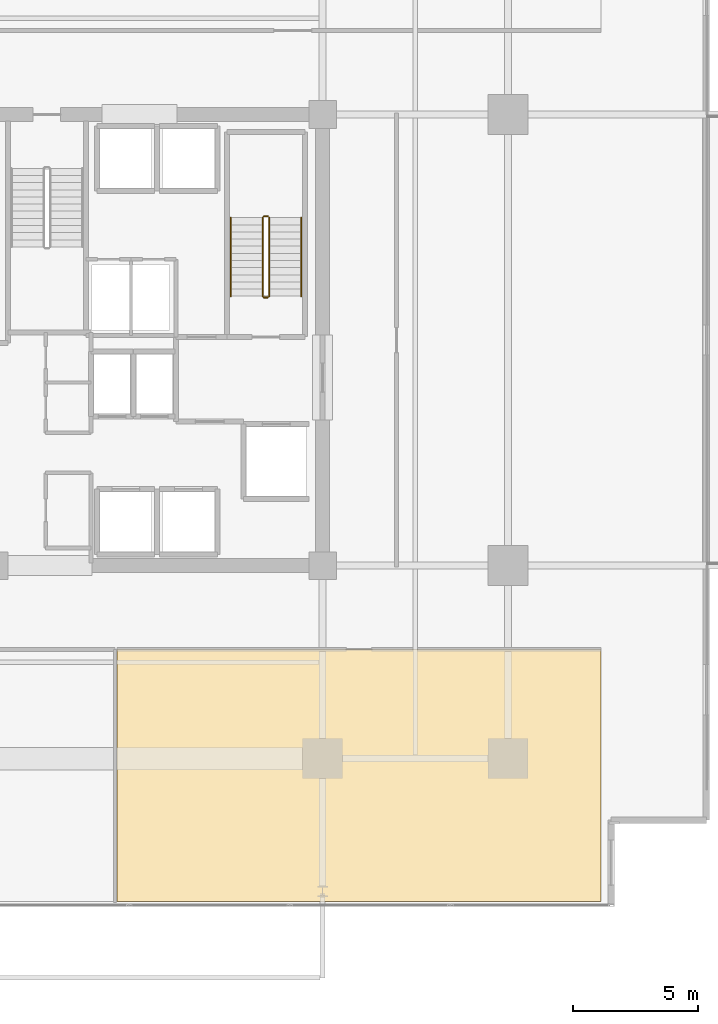
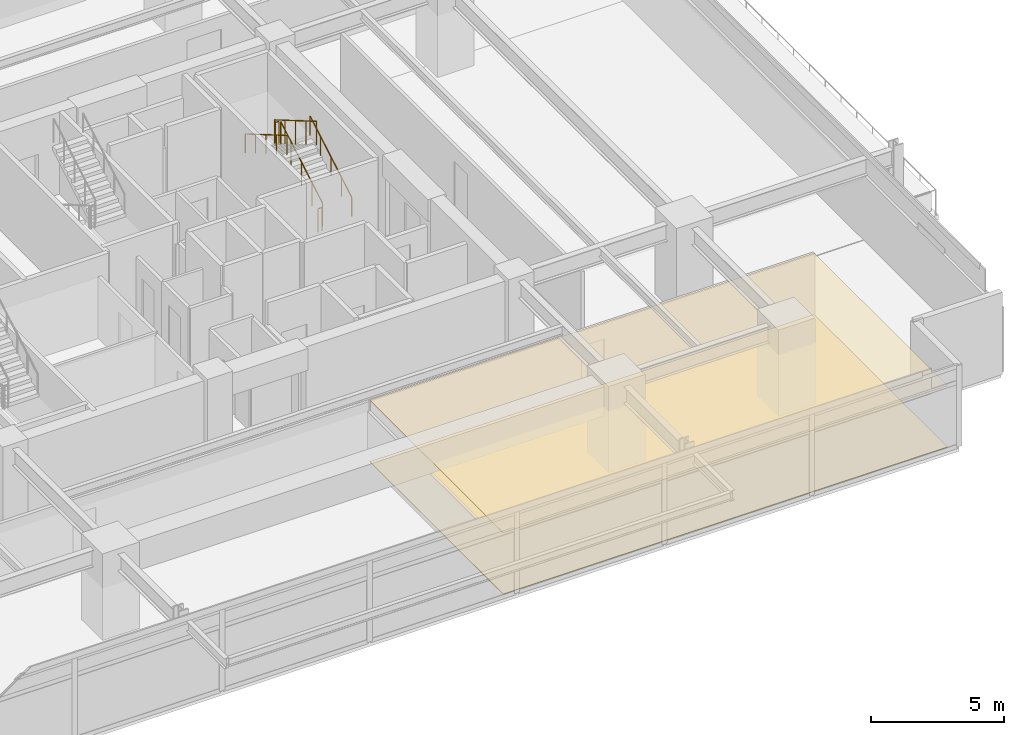
# One storey, part 22 of 24: 6 railings, 2 coverings.
"""IFC4 building model written with IfcOpenShell, lengths in metres."""

from ifc_helpers import new_model, si_unit, direction, frame, origin, origin_2d, place, context, subcontext, project, spatial, polyline, circle, outline, extrude, material, layer, layer_set, type_object, element, save


model = new_model("IFC4")

# Units and contexts
model_context = context("Model", 3, precision=1e-05, world=origin(), true_north=direction((0.0, 1.0)))
body_context = subcontext(model_context, "Body", "Model", "MODEL_VIEW")
ifc_project = project(units=[si_unit("LENGTHUNIT", "METRE"), si_unit("AREAUNIT", "SQUARE_METRE"), si_unit("VOLUMEUNIT", "CUBIC_METRE"), si_unit("PLANEANGLEUNIT", "RADIAN"), si_unit("MASSUNIT", "GRAM", prefix="KILO")], contexts=[model_context])

# Site, building, storey
site_placement = place(None, origin())
site = spatial("IfcSite", under=ifc_project, at=site_placement, CompositionType="ELEMENT")
building_placement = place(site_placement, origin())
building = spatial("IfcBuilding", under=site, at=building_placement, Name="Kovane Verandah Tower", CompositionType="ELEMENT")
storey_placement = place(building_placement, frame((0.0, 0.0, 132.39990234375)))
storey = spatial("IfcBuildingStorey", under=building, at=storey_placement, Name="L30", CompositionType="ELEMENT", Elevation=132.39990234375)

# Coverings
ifc_material_1 = material(Name="Perforated Acoustic Mineral-Fibre Ceiling Tile", Category="gypsum")
ifc_layer_1 = layer(ifc_material_1, 0.02490234375)
ifc_layer_set_1 = layer_set([ifc_layer_1], Name="Perforated Acoustic Mineral-Fibre Ceiling Tile")
covering_type_1 = type_object("IfcCoveringType", Name="CV-CEIL-25", PredefinedType="CEILING", material=ifc_layer_set_1)
covering_1_placement = place(storey_placement, frame((0.0, 0.0, 2.8251953125)))
element("IfcCovering", 1, at=covering_1_placement, inside=storey, type_object=covering_type_1, Name="L30 Focus Studio S2 Acoustic Ceiling", PredefinedType="CEILING", context=body_context, shape_type="SweptSolid", body=[
    extrude(outline(polyline([(42.790283203125, 5.09619140625), (62.114013671875, 5.09619140625), (62.114013671875, 15.14990234375), (42.790283203125, 15.14990234375), (42.790283203125, 5.09619140625)])), origin(), (0.0, 0.0, 1.0), 0.02490234375),
])
ifc_material_2 = material(Name="Polished Terrazzo and Raised-Access Carpet Tile Finish", Category="concrete")
ifc_layer_2 = layer(ifc_material_2, 0.030029296875)
ifc_layer_set_2 = layer_set([ifc_layer_2], Name="Polished Terrazzo and Raised-Access Carpet Tile Finish")
covering_type_2 = type_object("IfcCoveringType", Name="CV-FLOR-30", PredefinedType="FLOORING", material=ifc_layer_set_2)
covering_2_placement = place(storey_placement, origin())
element("IfcCovering", 2, at=covering_2_placement, inside=storey, type_object=covering_type_2, Name="L30 Focus Studio S2 Floor Finish", PredefinedType="FLOORING", context=body_context, shape_type="SweptSolid", body=[
    extrude(outline(polyline([(42.790283203125, 5.09619140625), (62.114013671875, 5.09619140625), (62.114013671875, 15.14990234375), (42.790283203125, 15.14990234375), (42.790283203125, 5.09619140625)])), origin(), (0.0, 0.0, 1.0), 0.030029296875),
])

# Railings
ifc_material_3 = material(Name="Brushed Stainless Steel Handrail", Category="steel")
railing_type_1 = type_object("IfcRailingType", Name="RL-HAND-920", PredefinedType="HANDRAIL", material=ifc_material_3)
railing_1_placement = place(storey_placement, frame((50.14990234375, 29.25, 0.166748046875)))
element("IfcRailing", 3, at=railing_1_placement, inside=storey, type_object=railing_type_1, Name="L30 ST-02 stair handrail 1", PredefinedType="HANDRAIL", context=body_context, shape_type="SweptSolid", body=[
    extrude(circle(Radius=0.02392578125, at=origin_2d()), frame((0.0, 0.0, 0.8759765625), z_axis=(0.0, 0.863239559939, 0.504794475164), x_axis=(-1.0, 0.0, 0.0)), (0.0, 0.0, 1.0), 3.631591796875),
    extrude(circle(Radius=0.02099609375, at=origin_2d()), origin(), (0.0, 0.0, 1.0), 0.851806640625),
    extrude(circle(Radius=0.02099609375, at=origin_2d()), frame((0.0, 0.78369140625, 0.458251953125)), (0.0, 0.0, 1.0), 0.851806640625),
    extrude(circle(Radius=0.02099609375, at=origin_2d()), frame((0.0, 1.5673828125, 0.91650390625)), (0.0, 0.0, 1.0), 0.851806640625),
    extrude(circle(Radius=0.02099609375, at=origin_2d()), frame((0.0, 2.351318359375, 1.375)), (0.0, 0.0, 1.0), 0.851806640625),
    extrude(circle(Radius=0.02099609375, at=origin_2d()), frame((0.0, 3.135009765625, 1.833251953125)), (0.0, 0.0, 1.0), 0.851806640625),
])
railing_2_placement = place(storey_placement, frame((47.330078125, 32.385009765625, 2.166748046875)))
element("IfcRailing", 4, at=railing_2_placement, inside=storey, type_object=railing_type_1, Name="L30 ST-02 stair handrail 2", PredefinedType="HANDRAIL", context=body_context, shape_type="SweptSolid", body=[
    extrude(circle(Radius=0.02392578125, at=origin_2d()), frame((0.0, 0.0, 0.8759765625), z_axis=(0.0, -0.863239559939, 0.504794475164), x_axis=(1.0, 0.0, 0.0)), (0.0, 0.0, 1.0), 3.631591796875),
    extrude(circle(Radius=0.02099609375, at=origin_2d()), origin(), (0.0, 0.0, 1.0), 0.851806640625),
    extrude(circle(Radius=0.02099609375, at=origin_2d()), frame((0.0, -0.78369140625, 0.458251953125)), (0.0, 0.0, 1.0), 0.851806640625),
    extrude(circle(Radius=0.02099609375, at=origin_2d()), frame((0.0, -1.5673828125, 0.91650390625)), (0.0, 0.0, 1.0), 0.851806640625),
    extrude(circle(Radius=0.02099609375, at=origin_2d()), frame((0.0, -2.351318359375, 1.375)), (0.0, 0.0, 1.0), 0.851806640625),
    extrude(circle(Radius=0.02099609375, at=origin_2d()), frame((0.0, -3.135009765625, 1.833251953125)), (0.0, 0.0, 1.0), 0.851806640625),
])
ifc_material_4 = material(Name="Painted Steel Stairwell Guardrail", Category="steel")
railing_type_2 = type_object("IfcRailingType", Name="RL-STGUARD-1120", PredefinedType="GUARDRAIL", material=ifc_material_4)
railing_3_placement = place(storey_placement, frame((48.8701171875, 29.25, 0.166748046875)))
element("IfcRailing", 5, at=railing_3_placement, inside=storey, type_object=railing_type_2, Name="L30 ST-02 stair guard 1", PredefinedType="GUARDRAIL", context=body_context, shape_type="SweptSolid", body=[
    extrude(circle(Radius=0.02392578125, at=origin_2d()), frame((0.0, 0.0, 1.076171875), z_axis=(0.0, 0.863239559939, 0.504794475164), x_axis=(-1.0, 0.0, 0.0)), (0.0, 0.0, 1.0), 3.631591796875),
    extrude(circle(Radius=0.02099609375, at=origin_2d()), origin(), (0.0, 0.0, 1.0), 1.052001953125),
    extrude(circle(Radius=0.02099609375, at=origin_2d()), frame((0.0, 0.78369140625, 0.458251953125)), (0.0, 0.0, 1.0), 1.052001953125),
    extrude(circle(Radius=0.02099609375, at=origin_2d()), frame((0.0, 1.5673828125, 0.91650390625)), (0.0, 0.0, 1.0), 1.052001953125),
    extrude(circle(Radius=0.02099609375, at=origin_2d()), frame((0.0, 2.351318359375, 1.375)), (0.0, 0.0, 1.0), 1.052001953125),
    extrude(circle(Radius=0.02099609375, at=origin_2d()), frame((0.0, 3.135009765625, 1.833251953125)), (0.0, 0.0, 1.0), 1.052001953125),
])
railing_4_placement = place(storey_placement, frame((48.820068359375, 32.43505859375, 2.0)))
element("IfcRailing", 6, at=railing_4_placement, inside=storey, type_object=railing_type_2, Name="L30 ST-02 stair guard 2", PredefinedType="GUARDRAIL", context=body_context, shape_type="SweptSolid", body=[
    extrude(circle(Radius=0.02392578125, at=origin_2d()), frame((0.0, 0.0, 1.076171875), z_axis=(-1.0, 0.0, 0.0), x_axis=(0.0, -1.0, 0.0)), (0.0, 0.0, 1.0), 0.16015625),
    extrude(circle(Radius=0.02099609375, at=origin_2d()), origin(), (0.0, 0.0, 1.0), 1.052001953125),
    extrude(circle(Radius=0.02099609375, at=origin_2d()), frame((-0.16015625, 0.0, 0.0)), (0.0, 0.0, 1.0), 1.052001953125),
])
railing_5_placement = place(storey_placement, frame((48.610107421875, 32.385009765625, 2.166748046875)))
element("IfcRailing", 7, at=railing_5_placement, inside=storey, type_object=railing_type_2, Name="L30 ST-02 stair guard 3", PredefinedType="GUARDRAIL", context=body_context, shape_type="SweptSolid", body=[
    extrude(circle(Radius=0.02392578125, at=origin_2d()), frame((0.0, 0.0, 1.076171875), z_axis=(0.0, -0.863239559939, 0.504794475164), x_axis=(1.0, 0.0, 0.0)), (0.0, 0.0, 1.0), 3.631591796875),
    extrude(circle(Radius=0.02099609375, at=origin_2d()), origin(), (0.0, 0.0, 1.0), 1.052001953125),
    extrude(circle(Radius=0.02099609375, at=origin_2d()), frame((0.0, -0.78369140625, 0.458251953125)), (0.0, 0.0, 1.0), 1.052001953125),
    extrude(circle(Radius=0.02099609375, at=origin_2d()), frame((0.0, -1.5673828125, 0.91650390625)), (0.0, 0.0, 1.0), 1.052001953125),
    extrude(circle(Radius=0.02099609375, at=origin_2d()), frame((0.0, -2.351318359375, 1.375)), (0.0, 0.0, 1.0), 1.052001953125),
    extrude(circle(Radius=0.02099609375, at=origin_2d()), frame((0.0, -3.135009765625, 1.833251953125)), (0.0, 0.0, 1.0), 1.052001953125),
])
railing_6_placement = place(storey_placement, frame((48.820068359375, 29.199951171875, 0.0)))
element("IfcRailing", 8, at=railing_6_placement, inside=storey, type_object=railing_type_2, Name="L30 ST-02 stair guard 4", PredefinedType="GUARDRAIL", context=body_context, shape_type="SweptSolid", body=[
    extrude(circle(Radius=0.02392578125, at=origin_2d()), frame((0.0, 0.0, 1.076171875), z_axis=(-1.0, 0.0, 0.0), x_axis=(0.0, -1.0, 0.0)), (0.0, 0.0, 1.0), 0.16015625),
    extrude(circle(Radius=0.02099609375, at=origin_2d()), origin(), (0.0, 0.0, 1.0), 1.052001953125),
    extrude(circle(Radius=0.02099609375, at=origin_2d()), frame((-0.16015625, 0.0, 0.0)), (0.0, 0.0, 1.0), 1.052001953125),
])

save(model, "model.ifc")
